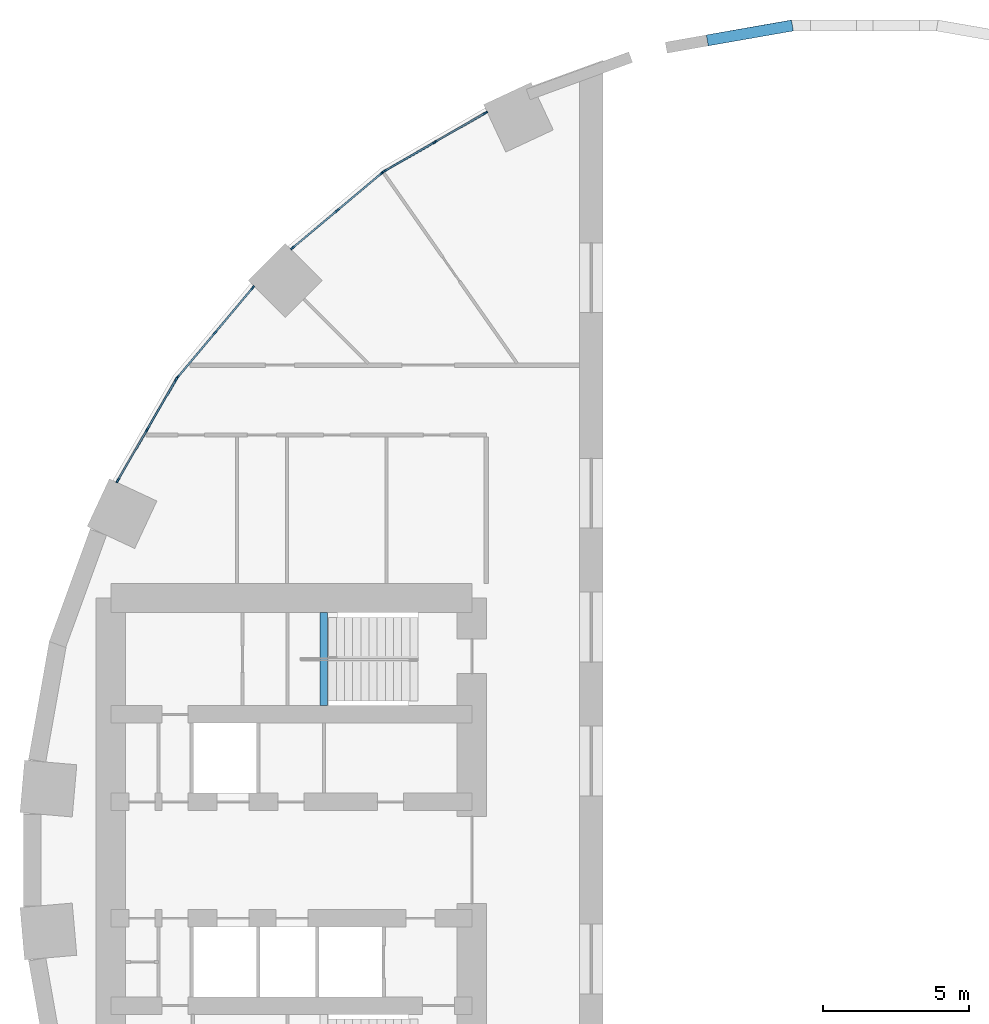
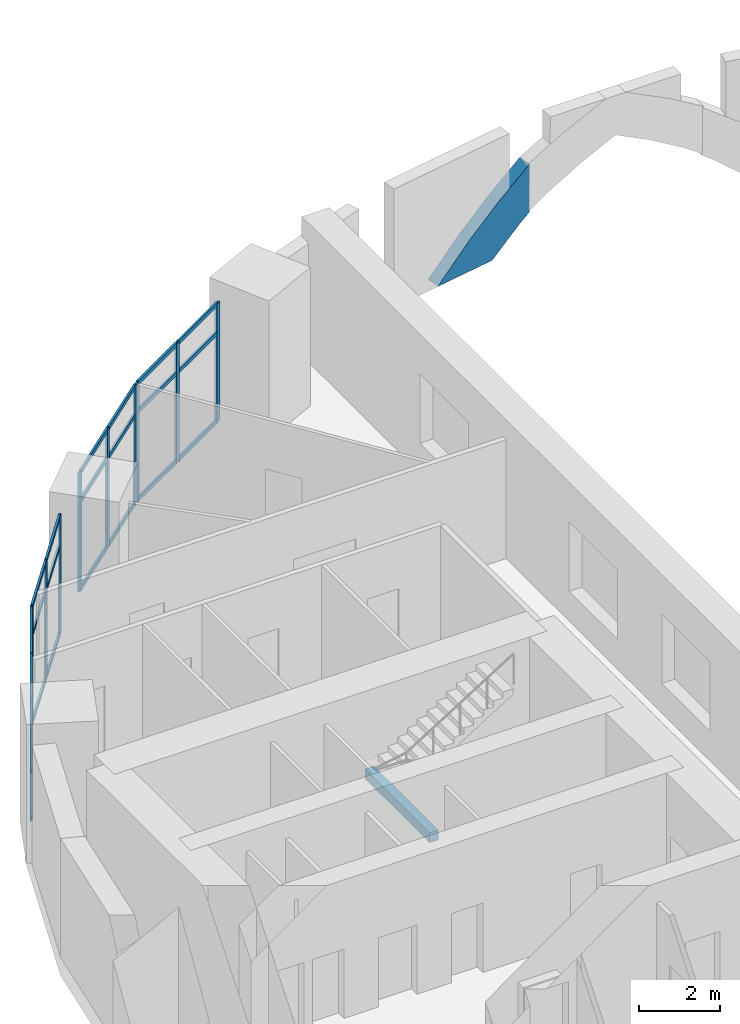
# One storey, part 5 of 15: 37 members, 1 beam, 4 elements without a shape of their own.
"""IFC4 building model written with IfcOpenShell, lengths in metres."""

import ifcopenshell
import ifcopenshell.guid

model = None  # the IFC model being written
_history = None  # IfcOwnerHistory: only IFC2X3 demands one
_inside = {}  # id of a spatial element -> (the spatial element, [elements in it])
_under = {}  # id of a project, library or spatial element -> (it, [spatial elements below it])
_declared = {}  # id of a project -> (the project, [libraries it declares])
_typed = {}  # id of a type object -> (the type object, [elements of that type])
_made_of = {}  # id of a material, layer set ... -> (it, [elements and type objects made of it])


def new_model(schema):
    """Start an empty IFC model of exactly this schema.

    Asked for "IFC4X3", IfcOpenShell would pick the latest addendum, in which some entities
    have other attributes; the version numbers below select the first issue.
    IFC2X3 requires an IfcOwnerHistory on every rooted entity: one is made here for all.
    """
    global model, _history
    if schema == "IFC4X3":
        model = ifcopenshell.file(schema_version=(4, 3, 0, 0))
    else:
        model = ifcopenshell.file(schema=schema)
    _inside.clear()
    _under.clear()
    _declared.clear()
    _typed.clear()
    _made_of.clear()
    _history = None
    if model.schema == "IFC2X3":
        org = make("IfcOrganization", Name="unknown")
        user = make(
            "IfcPersonAndOrganization",
            ThePerson=make("IfcPerson", FamilyName="unknown"),
            TheOrganization=org,
        )
        app = make(
            "IfcApplication",
            ApplicationDeveloper=org,
            Version="unknown",
            ApplicationFullName="unknown",
            ApplicationIdentifier="unknown",
        )
        _history = make(
            "IfcOwnerHistory",
            OwningUser=user,
            OwningApplication=app,
            ChangeAction="ADDED",
            CreationDate=0,
        )
    return model


def make(cls, **values):
    """One entity of the class cls with the attributes given. An attribute that is None is left unset."""
    return model.create_entity(
        cls, **{name: value for name, value in values.items() if value is not None}
    )


def rooted(cls, **values):
    """An entity with a GlobalId (a new one), such as an element, a storey or a relation."""
    return make(cls, GlobalId=ifcopenshell.guid.new(), OwnerHistory=_history, **values)


def si_unit(unit_type, name, prefix=None):
    """IfcSIUnit, for example si_unit("LENGTHUNIT", "METRE", prefix="MILLI")."""
    return make("IfcSIUnit", UnitType=unit_type, Prefix=prefix, Name=name)


def assignment(units):
    """IfcUnitAssignment: the units of a project."""
    return None if units is None else make("IfcUnitAssignment", Units=units)


def point(xyz):
    """IfcCartesianPoint."""
    return None if xyz is None else make("IfcCartesianPoint", Coordinates=xyz)


def direction(xyz):
    """IfcDirection."""
    return None if xyz is None else make("IfcDirection", DirectionRatios=xyz)


def frame(location, z_axis=None, x_axis=None):
    """IfcAxis2Placement3D, a coordinate frame: its origin and axes. An axis left out is left unset."""
    return make(
        "IfcAxis2Placement3D",
        Location=point(location),
        Axis=direction(z_axis),
        RefDirection=direction(x_axis),
    )


def frame_2d(location, x_axis=None):
    """IfcAxis2Placement2D, a coordinate frame in the plane: its origin and x axis."""
    return make(
        "IfcAxis2Placement2D", Location=point(location), RefDirection=direction(x_axis)
    )


def origin():
    """The frame at (0, 0, 0) with its axes left unset."""
    return frame((0.0, 0.0, 0.0))


def origin_2d():
    """The frame at (0, 0) in the plane with its x axis left unset."""
    return frame_2d((0.0, 0.0))


def place(relative_to, where):
    """IfcLocalPlacement: puts the frame where relative to a parent placement (None: the world)."""
    return make(
        "IfcLocalPlacement", PlacementRelTo=relative_to, RelativePlacement=where
    )


def context(
    kind, dimensions, precision=None, world=None, true_north=None, identifier=None
):
    """IfcGeometricRepresentationContext, for example the 3D "Model" context."""
    return make(
        "IfcGeometricRepresentationContext",
        ContextIdentifier=identifier,
        ContextType=kind,
        CoordinateSpaceDimension=dimensions,
        Precision=precision,
        WorldCoordinateSystem=world,
        TrueNorth=true_north,
    )


def subcontext(parent, identifier, kind, view, scale=None):
    """IfcGeometricRepresentationSubContext, for example "Body" below "Model"."""
    return make(
        "IfcGeometricRepresentationSubContext",
        ContextIdentifier=identifier,
        ContextType=kind,
        ParentContext=parent,
        TargetScale=scale,
        TargetView=view,
    )


def project(units=None, contexts=None):
    """IfcProject with its units and contexts."""
    return rooted(
        "IfcProject",
        Name="project",
        RepresentationContexts=contexts,
        UnitsInContext=assignment(units),
    )


def spatial(cls, under=None, at=None, **own):
    """A site, building, storey or space (cls), placed at a placement, below another one or the project."""
    s = rooted(cls, ObjectPlacement=at, **own)
    if under is not None:
        _under.setdefault(under.id(), (under, []))[1].append(s)
    return s


def polyline(points):
    """IfcPolyline through the points."""
    return make("IfcPolyline", Points=[point(p) for p in points])


def profile(cls, at=None, kind="AREA", **sizes):
    """A parametric profile (cls). Its sizes go by their IFC names, for example OverallWidth=200.0."""
    return make(cls, ProfileType=kind, Position=at, **sizes)


def rectangle(**sizes):
    """IfcRectangleProfileDef."""
    return profile("IfcRectangleProfileDef", **sizes)


def hollow_rectangle(**sizes):
    """IfcRectangleHollowProfileDef."""
    return profile("IfcRectangleHollowProfileDef", **sizes)


def outline(outer, holes=None, kind="AREA"):
    """IfcArbitraryClosedProfileDef: a profile drawn as a closed curve; with holes, ...WithVoids."""
    if holes is None:
        return make("IfcArbitraryClosedProfileDef", ProfileType=kind, OuterCurve=outer)
    return make(
        "IfcArbitraryProfileDefWithVoids",
        ProfileType=kind,
        OuterCurve=outer,
        InnerCurves=holes,
    )


def extrude(swept, where, along, depth):
    """IfcExtrudedAreaSolid: the profile swept, set in the frame where, extruded along a direction by depth."""
    return make(
        "IfcExtrudedAreaSolid",
        SweptArea=swept,
        Position=where,
        ExtrudedDirection=direction(along),
        Depth=depth,
    )


def shape(context_of_items, identifier, shape_type, items):
    """IfcShapeRepresentation: the items that make up one representation, for example the "Body"."""
    return make(
        "IfcShapeRepresentation",
        ContextOfItems=context_of_items,
        RepresentationIdentifier=identifier,
        RepresentationType=shape_type,
        Items=items,
    )


def material(Name=None, Category=None):
    """IfcMaterial."""
    return make("IfcMaterial", Name=Name, Category=Category)


def layer(
    of_material, thickness, ventilated=None, Name=None, Category=None, Priority=None
):
    """IfcMaterialLayer: one layer of a wall or slab, of a material (None: an air gap)."""
    return make(
        "IfcMaterialLayer",
        Material=of_material,
        LayerThickness=thickness,
        IsVentilated=ventilated,
        Name=Name,
        Category=Category,
        Priority=Priority,
    )


def layer_set(layers, Name=None):
    """IfcMaterialLayerSet."""
    return make("IfcMaterialLayerSet", MaterialLayers=layers, LayerSetName=Name)


def material_profile(
    of_material, cross_section, Name=None, Category=None, Priority=None
):
    """IfcMaterialProfile: a cross section and its material."""
    return make(
        "IfcMaterialProfile",
        Name=Name,
        Material=of_material,
        Profile=cross_section,
        Priority=Priority,
        Category=Category,
    )


def profile_set(profiles, Name=None, composite=None):
    """IfcMaterialProfileSet."""
    return make(
        "IfcMaterialProfileSet",
        Name=Name,
        MaterialProfiles=profiles,
        CompositeProfile=composite,
    )


def made_of(thing, what):
    """Note that an element or type object is made of a material, layer set ...; save() writes the relation."""
    if what is not None:
        _made_of.setdefault(what.id(), (what, []))[1].append(thing)
    return thing


def type_object(cls, material=None, **own):
    """A type object (cls), such as IfcWallType, which elements share."""
    return made_of(rooted(cls, **own), material)


def element(
    cls,
    number,
    at=None,
    inside=None,
    cuts=None,
    type_object=None,
    material=None,
    context=None,
    identifier="Body",
    shape_type=None,
    held_by="IfcProductDefinitionShape",
    body=None,
    shapes=None,
    **own,
):
    """One element of the class cls, such as IfcWall. Its Tag is "e" and its number.

    at: its placement. inside: the storey or other place that contains it. cuts: it is an
    opening in that element (IfcRelVoidsElement). A single representation is given by context,
    identifier, shape_type and body (its items); several are given by shapes. held_by: the class
    of the entity that holds the representations. save() writes the other relations.
    """
    e = rooted(cls, Tag="e%d" % number, ObjectPlacement=at, **own)
    if body is not None:
        shapes = [shape(context, identifier, shape_type, body)]
    if shapes is not None:
        e.Representation = make(held_by, Representations=shapes)
    if inside is not None:
        _inside.setdefault(inside.id(), (inside, []))[1].append(e)
    if cuts is not None:
        rooted(
            "IfcRelVoidsElement", RelatingBuildingElement=cuts, RelatedOpeningElement=e
        )
    if type_object is not None:
        _typed.setdefault(type_object.id(), (type_object, []))[1].append(e)
    return made_of(e, material)


def aggregate(whole, parts):
    """IfcRelAggregates: a whole, such as a stair, and the parts it consists of."""
    return rooted("IfcRelAggregates", RelatingObject=whole, RelatedObjects=parts)


def save(model, path):
    """Write the relations noted so far, then the file.

    IfcRelAggregates (storeys below a building ...), IfcRelContainedInSpatialStructure (elements
    in a storey), IfcRelDefinesByType, IfcRelAssociatesMaterial and IfcRelDeclares: one each for
    every whole, place, type object, material and project.
    """
    for whole, parts in _under.values():
        aggregate(whole, parts)
    for where, things in _inside.values():
        rooted(
            "IfcRelContainedInSpatialStructure",
            RelatedElements=things,
            RelatingStructure=where,
        )
    for kind, things in _typed.values():
        rooted("IfcRelDefinesByType", RelatedObjects=things, RelatingType=kind)
    for what, things in _made_of.values():
        rooted("IfcRelAssociatesMaterial", RelatedObjects=things, RelatingMaterial=what)
    for by, libraries in _declared.values():
        rooted("IfcRelDeclares", RelatingContext=by, RelatedDefinitions=libraries)
    model.write(path)


model = new_model("IFC4")

# Units and contexts
model_context = context("Model", 3, precision=1e-05, world=origin(), true_north=direction((0.0, 1.0)))
body_context = subcontext(model_context, "Body", "Model", "MODEL_VIEW")
ifc_project = project(units=[si_unit("LENGTHUNIT", "METRE"), si_unit("AREAUNIT", "SQUARE_METRE"), si_unit("VOLUMEUNIT", "CUBIC_METRE"), si_unit("PLANEANGLEUNIT", "RADIAN"), si_unit("MASSUNIT", "GRAM", prefix="KILO")], contexts=[model_context])

# Site, building, storey
site_placement = place(None, origin())
site = spatial("IfcSite", under=ifc_project, at=site_placement, CompositionType="ELEMENT")
building_placement = place(site_placement, origin())
building = spatial("IfcBuilding", under=site, at=building_placement, Name="Saqina Gate Tower", CompositionType="ELEMENT")
storey_placement = place(building_placement, frame((0.0, 0.0, 17.60009765625)))
storey = spatial("IfcBuildingStorey", under=building, at=storey_placement, Name="L04", CompositionType="ELEMENT", Elevation=17.60009765625)

# Curtain wall, members
ifc_material_1 = material(Name="Aluminium glazing", Category="aluminium")
ifc_layer = layer(ifc_material_1, 0.159912109375)
ifc_layer_set = layer_set([ifc_layer], Name="CWT-1")
curtain_wall_type = type_object("IfcCurtainWallType", Name="CWT-1", PredefinedType="NOTDEFINED", material=ifc_layer_set)
curtain_wall_1_placement = place(storey_placement, origin())
curtain_wall_1 = element("IfcCurtainWall", 1, at=curtain_wall_1_placement, inside=storey, type_object=curtain_wall_type, Name="Podium shopfront facet 12", PredefinedType="NOTDEFINED")
ifc_material_2 = material(Name="Aluminium", Category="aluminium")
ifc_material_profile_1 = material_profile(ifc_material_2, rectangle(XDim=0.06005859375, YDim=0.159912109375, at=origin_2d()), Name="Aluminium 60x160")
ifc_profile_set_1 = profile_set([ifc_material_profile_1], Name="Aluminium")
member_type_1 = type_object("IfcMemberType", Name="CWT-1M", PredefinedType="MULLION", material=ifc_profile_set_1)
member_1_placement = place(storey_placement, frame((-13.03466796875, 25.66015625, 0.0), z_axis=(0.0, 0.0, 1.0), x_axis=(0.500013894893, -0.866017381415, 0.0)))
member_1 = element("IfcMember", 2, at=member_1_placement, type_object=member_type_1, Name="CW1-12 mullion 1", PredefinedType="MULLION", context=body_context, shape_type="SweptSolid", body=[
    extrude(rectangle(XDim=0.06005859375, YDim=0.159912109375, at=origin_2d()), origin(), (0.0, 0.0, 1.0), 3.599853515625),
])
member_2_placement = place(storey_placement, frame((-14.770751953125, 24.65771484375, 0.0), z_axis=(0.0, 0.0, 1.0), x_axis=(0.500013894893, -0.866017381415, 0.0)))
member_2 = element("IfcMember", 3, at=member_2_placement, type_object=member_type_1, Name="CW1-12 mullion 2", PredefinedType="MULLION", context=body_context, shape_type="SweptSolid", body=[
    extrude(rectangle(XDim=0.06005859375, YDim=0.159912109375, at=origin_2d()), origin(), (0.0, 0.0, 1.0), 3.599853515625),
])
member_3_placement = place(storey_placement, frame((-16.5068359375, 23.655517578125, 0.0), z_axis=(0.0, 0.0, 1.0), x_axis=(0.500013894893, -0.866017381415, 0.0)))
member_3 = element("IfcMember", 4, at=member_3_placement, type_object=member_type_1, Name="CW1-12 mullion 3", PredefinedType="MULLION", context=body_context, shape_type="SweptSolid", body=[
    extrude(rectangle(XDim=0.06005859375, YDim=0.159912109375, at=origin_2d()), origin(), (0.0, 0.0, 1.0), 3.599853515625),
])

curtain_wall_2_placement = place(storey_placement, origin())
curtain_wall_2 = element("IfcCurtainWall", 5, at=curtain_wall_2_placement, inside=storey, type_object=curtain_wall_type, Name="Podium shopfront facet 13", PredefinedType="NOTDEFINED")
member_4_placement = place(storey_placement, frame((-16.583251953125, 23.601806640625, 0.0), z_axis=(0.0, 0.0, 1.0), x_axis=(0.642779322911, -0.766051396473, 0.0)))
member_4 = element("IfcMember", 6, at=member_4_placement, type_object=member_type_1, Name="CW1-13 mullion 1", PredefinedType="MULLION", context=body_context, shape_type="SweptSolid", body=[
    extrude(rectangle(XDim=0.06005859375, YDim=0.159912109375, at=origin_2d()), origin(), (0.0, 0.0, 1.0), 3.599853515625),
])
member_5_placement = place(storey_placement, frame((-18.118896484375, 22.3134765625, 0.0), z_axis=(0.0, 0.0, 1.0), x_axis=(0.642779322911, -0.766051396473, 0.0)))
member_5 = element("IfcMember", 7, at=member_5_placement, type_object=member_type_1, Name="CW1-13 mullion 2", PredefinedType="MULLION", context=body_context, shape_type="SweptSolid", body=[
    extrude(rectangle(XDim=0.06005859375, YDim=0.159912109375, at=origin_2d()), origin(), (0.0, 0.0, 1.0), 3.599853515625),
])
member_6_placement = place(storey_placement, frame((-19.654296875, 21.02490234375, 0.0), z_axis=(0.0, 0.0, 1.0), x_axis=(0.642779322911, -0.766051396473, 0.0)))
member_6 = element("IfcMember", 8, at=member_6_placement, type_object=member_type_1, Name="CW1-13 mullion 3", PredefinedType="MULLION", context=body_context, shape_type="SweptSolid", body=[
    extrude(rectangle(XDim=0.06005859375, YDim=0.159912109375, at=origin_2d()), origin(), (0.0, 0.0, 1.0), 3.599853515625),
])

curtain_wall_3_placement = place(storey_placement, origin())
curtain_wall_3 = element("IfcCurtainWall", 9, at=curtain_wall_3_placement, inside=storey, type_object=curtain_wall_type, Name="Podium shopfront facet 14", PredefinedType="NOTDEFINED")
member_7_placement = place(storey_placement, frame((-21.02490234375, 19.654296875, 0.0), z_axis=(0.0, 0.0, 1.0), x_axis=(0.766051396473, -0.642779322911, 0.0)))
member_7 = element("IfcMember", 10, at=member_7_placement, type_object=member_type_1, Name="CW1-14 mullion 1", PredefinedType="MULLION", context=body_context, shape_type="SweptSolid", body=[
    extrude(rectangle(XDim=0.06005859375, YDim=0.159912109375, at=origin_2d()), origin(), (0.0, 0.0, 1.0), 3.599853515625),
])
member_8_placement = place(storey_placement, frame((-22.3134765625, 18.118896484375, 0.0), z_axis=(0.0, 0.0, 1.0), x_axis=(0.766051396473, -0.642779322911, 0.0)))
member_8 = element("IfcMember", 11, at=member_8_placement, type_object=member_type_1, Name="CW1-14 mullion 2", PredefinedType="MULLION", context=body_context, shape_type="SweptSolid", body=[
    extrude(rectangle(XDim=0.06005859375, YDim=0.159912109375, at=origin_2d()), origin(), (0.0, 0.0, 1.0), 3.599853515625),
])
member_9_placement = place(storey_placement, frame((-23.601806640625, 16.583251953125, 0.0), z_axis=(0.0, 0.0, 1.0), x_axis=(0.766051396473, -0.642779322911, 0.0)))
member_9 = element("IfcMember", 12, at=member_9_placement, type_object=member_type_1, Name="CW1-14 mullion 3", PredefinedType="MULLION", context=body_context, shape_type="SweptSolid", body=[
    extrude(rectangle(XDim=0.06005859375, YDim=0.159912109375, at=origin_2d()), origin(), (0.0, 0.0, 1.0), 3.599853515625),
])

curtain_wall_4_placement = place(storey_placement, origin())
curtain_wall_4 = element("IfcCurtainWall", 13, at=curtain_wall_4_placement, inside=storey, type_object=curtain_wall_type, Name="Podium shopfront facet 15", PredefinedType="NOTDEFINED")
member_10_placement = place(storey_placement, frame((-23.655517578125, 16.5068359375, 0.0), z_axis=(0.0, 0.0, 1.0), x_axis=(0.866017381415, -0.500013894893, 0.0)))
member_10 = element("IfcMember", 14, at=member_10_placement, type_object=member_type_1, Name="CW1-15 mullion 1", PredefinedType="MULLION", context=body_context, shape_type="SweptSolid", body=[
    extrude(rectangle(XDim=0.06005859375, YDim=0.159912109375, at=origin_2d()), origin(), (0.0, 0.0, 1.0), 3.599853515625),
])
member_11_placement = place(storey_placement, frame((-24.65771484375, 14.770751953125, 0.0), z_axis=(0.0, 0.0, 1.0), x_axis=(0.866017381415, -0.500013894893, 0.0)))
member_11 = element("IfcMember", 15, at=member_11_placement, type_object=member_type_1, Name="CW1-15 mullion 2", PredefinedType="MULLION", context=body_context, shape_type="SweptSolid", body=[
    extrude(rectangle(XDim=0.06005859375, YDim=0.159912109375, at=origin_2d()), origin(), (0.0, 0.0, 1.0), 3.599853515625),
])
member_12_placement = place(storey_placement, frame((-25.66015625, 13.03466796875, 0.0), z_axis=(0.0, 0.0, 1.0), x_axis=(0.866017381415, -0.500013894893, 0.0)))
member_12 = element("IfcMember", 16, at=member_12_placement, type_object=member_type_1, Name="CW1-15 mullion 3", PredefinedType="MULLION", context=body_context, shape_type="SweptSolid", body=[
    extrude(rectangle(XDim=0.06005859375, YDim=0.159912109375, at=origin_2d()), origin(), (0.0, 0.0, 1.0), 3.599853515625),
])

# Member
ifc_material_3 = material(Name="Aluminium", Category="aluminium")
ifc_material_profile_2 = material_profile(ifc_material_3, rectangle(XDim=0.06005859375, YDim=0.1201171875, at=origin_2d()), Name="Aluminium 60x120")
ifc_profile_set_2 = profile_set([ifc_material_profile_2], Name="Aluminium")
member_type_2 = type_object("IfcMemberType", Name="CWT-1T", PredefinedType="USERDEFINED", material=ifc_profile_set_2)
member_13_placement = place(storey_placement, frame((-13.060791015625, 25.64501953125, 0.02978515625), z_axis=(-0.866055964107, -0.499947064232, 0.0), x_axis=(0.499947064232, -0.866055964107, 0.0)))
member_13 = element("IfcMember", 17, at=member_13_placement, type_object=member_type_2, Name="CW1-12 transom 1.1", ObjectType="TRANSOM", PredefinedType="USERDEFINED", context=body_context, shape_type="SweptSolid", body=[
    extrude(rectangle(XDim=0.06005859375, YDim=0.1201171875, at=origin_2d()), origin(), (0.0, 0.0, 1.0), 1.944580078125),
])

member_14_placement = place(storey_placement, frame((-13.060791015625, 25.64501953125, 2.699951171875), z_axis=(-0.866055964107, -0.499947064232, 0.0), x_axis=(0.499947064232, -0.866055964107, 0.0)))
member_14 = element("IfcMember", 18, at=member_14_placement, type_object=member_type_2, Name="CW1-12 transom 1.2", ObjectType="TRANSOM", PredefinedType="USERDEFINED", context=body_context, shape_type="SweptSolid", body=[
    extrude(rectangle(XDim=0.06005859375, YDim=0.1201171875, at=origin_2d()), origin(), (0.0, 0.0, 1.0), 1.944580078125),
])

member_15_placement = place(storey_placement, frame((-13.060791015625, 25.64501953125, 3.56982421875), z_axis=(-0.866055964107, -0.499947064232, 0.0), x_axis=(0.499947064232, -0.866055964107, 0.0)))
member_15 = element("IfcMember", 19, at=member_15_placement, type_object=member_type_2, Name="CW1-12 transom 1.3", ObjectType="TRANSOM", PredefinedType="USERDEFINED", context=body_context, shape_type="SweptSolid", body=[
    extrude(rectangle(XDim=0.06005859375, YDim=0.1201171875, at=origin_2d()), origin(), (0.0, 0.0, 1.0), 1.944580078125),
])

member_16_placement = place(storey_placement, frame((-14.796630859375, 24.642822265625, 0.02978515625), z_axis=(-0.866001600736, -0.500041225824, 0.0), x_axis=(0.500041225824, -0.866001600736, 0.0)))
member_16 = element("IfcMember", 20, at=member_16_placement, type_object=member_type_2, Name="CW1-12 transom 2.1", ObjectType="TRANSOM", PredefinedType="USERDEFINED", context=body_context, shape_type="SweptSolid", body=[
    extrude(rectangle(XDim=0.06005859375, YDim=0.1201171875, at=origin_2d()), origin(), (0.0, 0.0, 1.0), 1.944580078125),
])

member_17_placement = place(storey_placement, frame((-14.796630859375, 24.642822265625, 2.699951171875), z_axis=(-0.866001600736, -0.500041225824, 0.0), x_axis=(0.500041225824, -0.866001600736, 0.0)))
member_17 = element("IfcMember", 21, at=member_17_placement, type_object=member_type_2, Name="CW1-12 transom 2.2", ObjectType="TRANSOM", PredefinedType="USERDEFINED", context=body_context, shape_type="SweptSolid", body=[
    extrude(rectangle(XDim=0.06005859375, YDim=0.1201171875, at=origin_2d()), origin(), (0.0, 0.0, 1.0), 1.944580078125),
])

member_18_placement = place(storey_placement, frame((-14.796630859375, 24.642822265625, 3.56982421875), z_axis=(-0.866001600736, -0.500041225824, 0.0), x_axis=(0.500041225824, -0.866001600736, 0.0)))
member_18 = element("IfcMember", 22, at=member_18_placement, type_object=member_type_2, Name="CW1-12 transom 2.3", ObjectType="TRANSOM", PredefinedType="USERDEFINED", context=body_context, shape_type="SweptSolid", body=[
    extrude(rectangle(XDim=0.06005859375, YDim=0.1201171875, at=origin_2d()), origin(), (0.0, 0.0, 1.0), 1.944580078125),
])

aggregate(curtain_wall_1, [member_1, member_2, member_3, member_13, member_14, member_15, member_16, member_17, member_18])

member_19_placement = place(storey_placement, frame((-16.606201171875, 23.58251953125, 0.02978515625), z_axis=(-0.766117756196, -0.642700228444, 0.0), x_axis=(0.642700228444, -0.766117756196, 0.0)))
member_19 = element("IfcMember", 23, at=member_19_placement, type_object=member_type_2, Name="CW1-13 transom 1.1", ObjectType="TRANSOM", PredefinedType="USERDEFINED", context=body_context, shape_type="SweptSolid", body=[
    extrude(rectangle(XDim=0.06005859375, YDim=0.1201171875, at=origin_2d()), origin(), (0.0, 0.0, 1.0), 1.944580078125),
])

member_20_placement = place(storey_placement, frame((-16.606201171875, 23.58251953125, 2.699951171875), z_axis=(-0.766117756196, -0.642700228444, 0.0), x_axis=(0.642700228444, -0.766117756196, 0.0)))
member_20 = element("IfcMember", 24, at=member_20_placement, type_object=member_type_2, Name="CW1-13 transom 1.2", ObjectType="TRANSOM", PredefinedType="USERDEFINED", context=body_context, shape_type="SweptSolid", body=[
    extrude(rectangle(XDim=0.06005859375, YDim=0.1201171875, at=origin_2d()), origin(), (0.0, 0.0, 1.0), 1.944580078125),
])

member_21_placement = place(storey_placement, frame((-16.606201171875, 23.58251953125, 3.56982421875), z_axis=(-0.766117756196, -0.642700228444, 0.0), x_axis=(0.642700228444, -0.766117756196, 0.0)))
member_21 = element("IfcMember", 25, at=member_21_placement, type_object=member_type_2, Name="CW1-13 transom 1.3", ObjectType="TRANSOM", PredefinedType="USERDEFINED", context=body_context, shape_type="SweptSolid", body=[
    extrude(rectangle(XDim=0.06005859375, YDim=0.1201171875, at=origin_2d()), origin(), (0.0, 0.0, 1.0), 1.944580078125),
])

member_22_placement = place(storey_placement, frame((-18.141845703125, 22.294189453125, 0.02978515625), z_axis=(-0.76600406177, -0.642835731235, 0.0), x_axis=(0.642835731235, -0.76600406177, 0.0)))
member_22 = element("IfcMember", 26, at=member_22_placement, type_object=member_type_2, Name="CW1-13 transom 2.1", ObjectType="TRANSOM", PredefinedType="USERDEFINED", context=body_context, shape_type="SweptSolid", body=[
    extrude(rectangle(XDim=0.06005859375, YDim=0.1201171875, at=origin_2d()), origin(), (0.0, 0.0, 1.0), 1.944580078125),
])

member_23_placement = place(storey_placement, frame((-18.141845703125, 22.294189453125, 2.699951171875), z_axis=(-0.76600406177, -0.642835731235, 0.0), x_axis=(0.642835731235, -0.76600406177, 0.0)))
member_23 = element("IfcMember", 27, at=member_23_placement, type_object=member_type_2, Name="CW1-13 transom 2.2", ObjectType="TRANSOM", PredefinedType="USERDEFINED", context=body_context, shape_type="SweptSolid", body=[
    extrude(rectangle(XDim=0.06005859375, YDim=0.1201171875, at=origin_2d()), origin(), (0.0, 0.0, 1.0), 1.944580078125),
])

member_24_placement = place(storey_placement, frame((-18.141845703125, 22.294189453125, 3.56982421875), z_axis=(-0.76600406177, -0.642835731235, 0.0), x_axis=(0.642835731235, -0.76600406177, 0.0)))
member_24 = element("IfcMember", 28, at=member_24_placement, type_object=member_type_2, Name="CW1-13 transom 2.3", ObjectType="TRANSOM", PredefinedType="USERDEFINED", context=body_context, shape_type="SweptSolid", body=[
    extrude(rectangle(XDim=0.06005859375, YDim=0.1201171875, at=origin_2d()), origin(), (0.0, 0.0, 1.0), 1.944580078125),
])

aggregate(curtain_wall_2, [member_4, member_5, member_6, member_19, member_20, member_21, member_22, member_23, member_24])

member_25_placement = place(storey_placement, frame((-21.044189453125, 19.63134765625, 0.02978515625), z_axis=(-0.642835731235, -0.76600406177, 0.0), x_axis=(0.76600406177, -0.642835731235, 0.0)))
member_25 = element("IfcMember", 29, at=member_25_placement, type_object=member_type_2, Name="CW1-14 transom 1.1", ObjectType="TRANSOM", PredefinedType="USERDEFINED", context=body_context, shape_type="SweptSolid", body=[
    extrude(rectangle(XDim=0.06005859375, YDim=0.1201171875, at=origin_2d()), origin(), (0.0, 0.0, 1.0), 1.944580078125),
])

member_26_placement = place(storey_placement, frame((-21.044189453125, 19.63134765625, 2.699951171875), z_axis=(-0.642835731235, -0.76600406177, 0.0), x_axis=(0.76600406177, -0.642835731235, 0.0)))
member_26 = element("IfcMember", 30, at=member_26_placement, type_object=member_type_2, Name="CW1-14 transom 1.2", ObjectType="TRANSOM", PredefinedType="USERDEFINED", context=body_context, shape_type="SweptSolid", body=[
    extrude(rectangle(XDim=0.06005859375, YDim=0.1201171875, at=origin_2d()), origin(), (0.0, 0.0, 1.0), 1.944580078125),
])

member_27_placement = place(storey_placement, frame((-21.044189453125, 19.63134765625, 3.56982421875), z_axis=(-0.642835731235, -0.76600406177, 0.0), x_axis=(0.76600406177, -0.642835731235, 0.0)))
member_27 = element("IfcMember", 31, at=member_27_placement, type_object=member_type_2, Name="CW1-14 transom 1.3", ObjectType="TRANSOM", PredefinedType="USERDEFINED", context=body_context, shape_type="SweptSolid", body=[
    extrude(rectangle(XDim=0.06005859375, YDim=0.1201171875, at=origin_2d()), origin(), (0.0, 0.0, 1.0), 1.944580078125),
])

member_28_placement = place(storey_placement, frame((-22.332763671875, 18.095947265625, 0.02978515625), z_axis=(-0.642700228444, -0.766117756196, 0.0), x_axis=(0.766117756196, -0.642700228444, 0.0)))
member_28 = element("IfcMember", 32, at=member_28_placement, type_object=member_type_2, Name="CW1-14 transom 2.1", ObjectType="TRANSOM", PredefinedType="USERDEFINED", context=body_context, shape_type="SweptSolid", body=[
    extrude(rectangle(XDim=0.06005859375, YDim=0.1201171875, at=origin_2d()), origin(), (0.0, 0.0, 1.0), 1.944580078125),
])

member_29_placement = place(storey_placement, frame((-22.332763671875, 18.095947265625, 2.699951171875), z_axis=(-0.642700228444, -0.766117756196, 0.0), x_axis=(0.766117756196, -0.642700228444, 0.0)))
member_29 = element("IfcMember", 33, at=member_29_placement, type_object=member_type_2, Name="CW1-14 transom 2.2", ObjectType="TRANSOM", PredefinedType="USERDEFINED", context=body_context, shape_type="SweptSolid", body=[
    extrude(rectangle(XDim=0.06005859375, YDim=0.1201171875, at=origin_2d()), origin(), (0.0, 0.0, 1.0), 1.944580078125),
])

member_30_placement = place(storey_placement, frame((-22.332763671875, 18.095947265625, 3.56982421875), z_axis=(-0.642700228444, -0.766117756196, 0.0), x_axis=(0.766117756196, -0.642700228444, 0.0)))
member_30 = element("IfcMember", 34, at=member_30_placement, type_object=member_type_2, Name="CW1-14 transom 2.3", ObjectType="TRANSOM", PredefinedType="USERDEFINED", context=body_context, shape_type="SweptSolid", body=[
    extrude(rectangle(XDim=0.06005859375, YDim=0.1201171875, at=origin_2d()), origin(), (0.0, 0.0, 1.0), 1.944580078125),
])

aggregate(curtain_wall_3, [member_7, member_8, member_9, member_25, member_26, member_27, member_28, member_29, member_30])

member_31_placement = place(storey_placement, frame((-23.67041015625, 16.480712890625, 0.02978515625), z_axis=(-0.500041225824, -0.866001600736, 0.0), x_axis=(0.866001600736, -0.500041225824, 0.0)))
member_31 = element("IfcMember", 35, at=member_31_placement, type_object=member_type_2, Name="CW1-15 transom 1.1", ObjectType="TRANSOM", PredefinedType="USERDEFINED", context=body_context, shape_type="SweptSolid", body=[
    extrude(rectangle(XDim=0.06005859375, YDim=0.1201171875, at=origin_2d()), origin(), (0.0, 0.0, 1.0), 1.944580078125),
])

member_32_placement = place(storey_placement, frame((-23.67041015625, 16.480712890625, 2.699951171875), z_axis=(-0.500041225824, -0.866001600736, 0.0), x_axis=(0.866001600736, -0.500041225824, 0.0)))
member_32 = element("IfcMember", 36, at=member_32_placement, type_object=member_type_2, Name="CW1-15 transom 1.2", ObjectType="TRANSOM", PredefinedType="USERDEFINED", context=body_context, shape_type="SweptSolid", body=[
    extrude(rectangle(XDim=0.06005859375, YDim=0.1201171875, at=origin_2d()), origin(), (0.0, 0.0, 1.0), 1.944580078125),
])

member_33_placement = place(storey_placement, frame((-23.67041015625, 16.480712890625, 3.56982421875), z_axis=(-0.500041225824, -0.866001600736, 0.0), x_axis=(0.866001600736, -0.500041225824, 0.0)))
member_33 = element("IfcMember", 37, at=member_33_placement, type_object=member_type_2, Name="CW1-15 transom 1.3", ObjectType="TRANSOM", PredefinedType="USERDEFINED", context=body_context, shape_type="SweptSolid", body=[
    extrude(rectangle(XDim=0.06005859375, YDim=0.1201171875, at=origin_2d()), origin(), (0.0, 0.0, 1.0), 1.944580078125),
])

member_34_placement = place(storey_placement, frame((-24.6728515625, 14.744873046875, 0.02978515625), z_axis=(-0.499947064232, -0.866055964107, 0.0), x_axis=(0.866055964107, -0.499947064232, 0.0)))
member_34 = element("IfcMember", 38, at=member_34_placement, type_object=member_type_2, Name="CW1-15 transom 2.1", ObjectType="TRANSOM", PredefinedType="USERDEFINED", context=body_context, shape_type="SweptSolid", body=[
    extrude(rectangle(XDim=0.06005859375, YDim=0.1201171875, at=origin_2d()), origin(), (0.0, 0.0, 1.0), 1.944580078125),
])

member_35_placement = place(storey_placement, frame((-24.6728515625, 14.744873046875, 2.699951171875), z_axis=(-0.499947064232, -0.866055964107, 0.0), x_axis=(0.866055964107, -0.499947064232, 0.0)))
member_35 = element("IfcMember", 39, at=member_35_placement, type_object=member_type_2, Name="CW1-15 transom 2.2", ObjectType="TRANSOM", PredefinedType="USERDEFINED", context=body_context, shape_type="SweptSolid", body=[
    extrude(rectangle(XDim=0.06005859375, YDim=0.1201171875, at=origin_2d()), origin(), (0.0, 0.0, 1.0), 1.944580078125),
])

member_36_placement = place(storey_placement, frame((-24.6728515625, 14.744873046875, 3.56982421875), z_axis=(-0.499947064232, -0.866055964107, 0.0), x_axis=(0.866055964107, -0.499947064232, 0.0)))
member_36 = element("IfcMember", 40, at=member_36_placement, type_object=member_type_2, Name="CW1-15 transom 2.3", ObjectType="TRANSOM", PredefinedType="USERDEFINED", context=body_context, shape_type="SweptSolid", body=[
    extrude(rectangle(XDim=0.06005859375, YDim=0.1201171875, at=origin_2d()), origin(), (0.0, 0.0, 1.0), 1.944580078125),
])

aggregate(curtain_wall_4, [member_10, member_11, member_12, member_31, member_32, member_33, member_34, member_35, member_36])

# Beam
ifc_material_4 = material(Name="Concrete C40/50", Category="concrete")
ifc_material_profile_3 = material_profile(ifc_material_4, rectangle(XDim=0.25, YDim=0.300048828125, at=origin_2d()), Name="STAIR LANDING BEAM")
ifc_profile_set_3 = profile_set([ifc_material_profile_3], Name="Concrete C40/50")
beam_type = type_object("IfcBeamType", Name="STAIR LANDING BEAM", PredefinedType="BEAM", material=ifc_profile_set_3)
beam_placement = place(storey_placement, frame((-18.580078125, 5.300048828125, 1.699951171875), z_axis=(0.0, 1.0, 0.0), x_axis=(-1.0, 0.0, 0.0)))
element("IfcBeam", 41, at=beam_placement, inside=storey, type_object=beam_type, Name="EXIT STAIR 3 LANDING BEAM", PredefinedType="BEAM", context=body_context, shape_type="SweptSolid", body=[
    extrude(rectangle(XDim=0.25, YDim=0.300048828125, at=origin_2d()), origin(), (0.0, 0.0, 1.0), 3.199951171875),
])

# Member
ifc_material_5 = material(Name="Steel S355", Category="steel")
ifc_material_profile_4 = material_profile(ifc_material_5, hollow_rectangle(XDim=1.199951171875, YDim=0.3798828125, WallThickness=0.030029296875, at=origin_2d()), Name="BOX 1200x380x30")
ifc_profile_set_4 = profile_set([ifc_material_profile_4], Name="Steel S355")
member_type_3 = type_object("IfcMemberType", Name="STR-ARCH RIB-BOX 1200x380x30", PredefinedType="USERDEFINED", material=ifc_profile_set_4)
member_37_placement = place(storey_placement, frame((-2.5205078125, 28.850341796875, 2.3818359375), z_axis=(-0.173696674332, 0.984797175183, 0.001997267736), x_axis=(-0.850377096579, -0.14896443911, -0.504646796774)))
element("IfcMember", 42, at=member_37_placement, inside=storey, type_object=member_type_3, Name="ARCH RIB N L04 facet 10", ObjectType="ARCH RIB", PredefinedType="USERDEFINED", context=body_context, shape_type="SweptSolid", body=[
    extrude(outline(polyline([(0.0, 0.0), (0.03821835872285472, 0.0), (1.2308624809840885, -0.08420590945003015), (2.4133494704100418, -0.2526817307815765), (3.5798279983421724, -0.504889648170749), (3.7640095484338176, -0.5587020449502296), (2.248280255850693, -1.4447057267653678), (2.201750375706797, -1.434858710694141), (1.1036764276033175, -1.2781226499486311), (0.7318152230867793, -1.252007084538989), (0.0, 0.0)])), origin(), (0.0, 0.0, -1.0), 0.3798828125),
])

save(model, "model.ifc")
